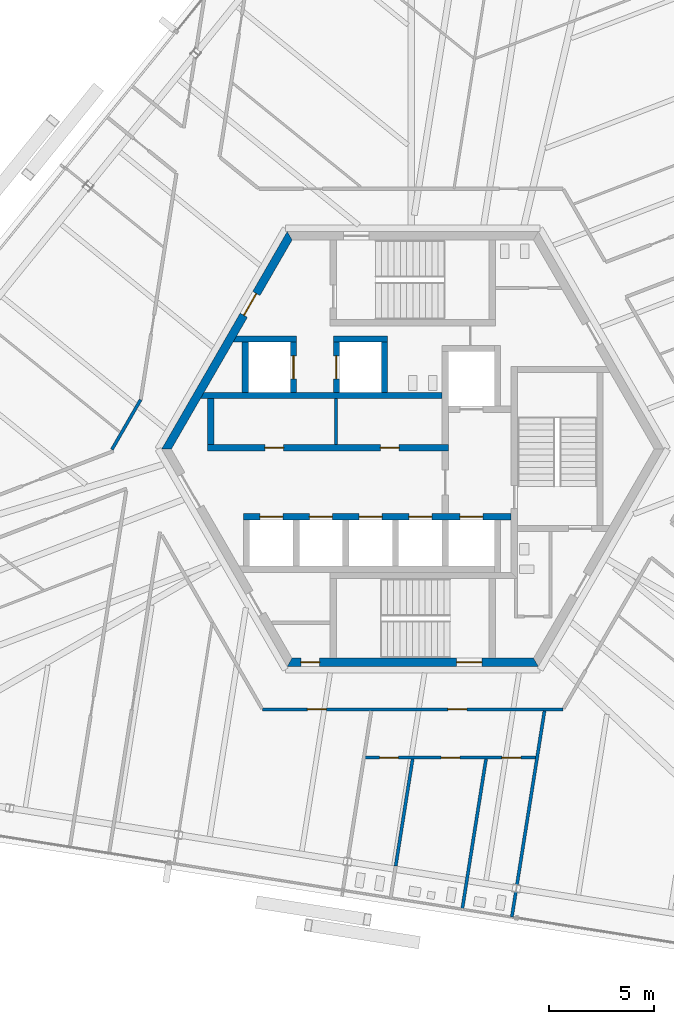
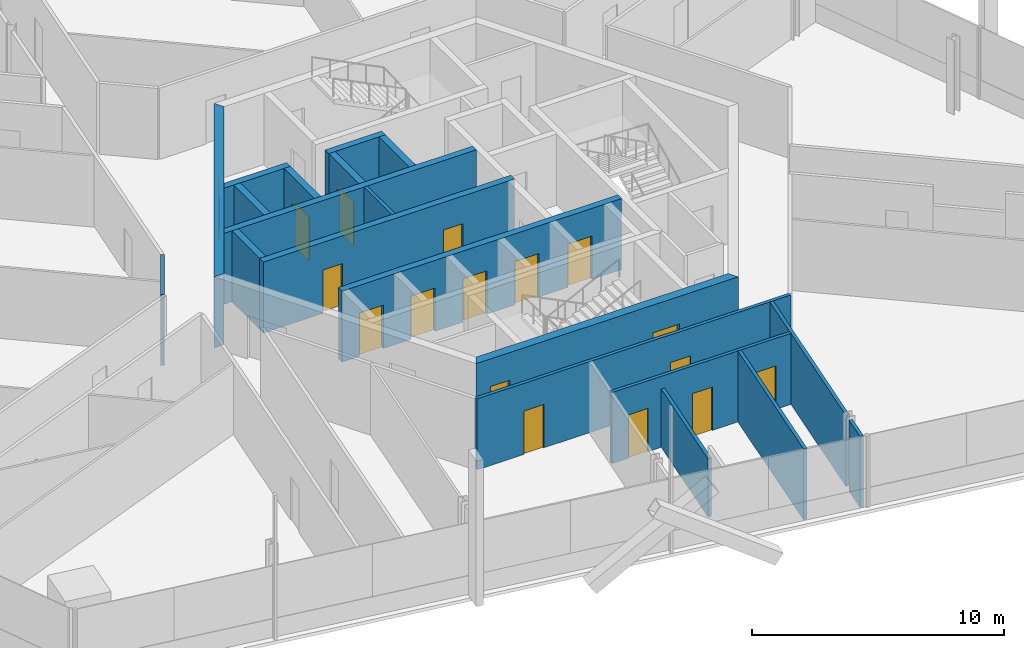
# One storey, part 12 of 22: 20 walls, 17 doors, 17 openings.
"""IFC4 building model written with IfcOpenShell, lengths in metres."""

from ifc_helpers import new_model, si_unit, direction, frame, frame_2d, origin, place, context, subcontext, project, spatial, polyline, rectangle, outline, extrude, source, transform, mapped, material, layer, layer_set, type_object, element, fill, save


model = new_model("IFC4")

# Units and contexts
model_context = context("Model", 3, precision=1e-05, world=origin(), true_north=direction((0.0, 1.0)))
body_context = subcontext(model_context, "Body", "Model", "MODEL_VIEW")
ifc_project = project(units=[si_unit("LENGTHUNIT", "METRE"), si_unit("AREAUNIT", "SQUARE_METRE"), si_unit("VOLUMEUNIT", "CUBIC_METRE"), si_unit("PLANEANGLEUNIT", "RADIAN"), si_unit("MASSUNIT", "GRAM", prefix="KILO")], contexts=[model_context])

# Site, building, storey
site_placement = place(None, origin())
site = spatial("IfcSite", under=ifc_project, at=site_placement, CompositionType="ELEMENT")
building_placement = place(site_placement, origin())
building = spatial("IfcBuilding", under=site, at=building_placement, Name="Triune Harvest Tower", CompositionType="ELEMENT")
storey_placement = place(building_placement, frame((0.0, 0.0, 153.300048828125)))
storey = spatial("IfcBuildingStorey", under=building, at=storey_placement, Name="L39", CompositionType="ELEMENT", Elevation=153.300048828125)

# Wall, openings, doors
ifc_material_1 = material(Name="Gypsum board on steel studs", Category="steel")
ifc_layer_1 = layer(ifc_material_1, 0.14990234375)
ifc_layer_set_1 = layer_set([ifc_layer_1], Name="Gypsum board on steel studs")
wall_type_1 = type_object("IfcWallType", Name="Fire Partition 150 mm", PredefinedType="PARTITIONING", material=ifc_layer_set_1)
wall_1_placement = place(storey_placement, frame((-2.3349609375, -14.7421875, 0.0), z_axis=(0.0, 0.0, 1.0), x_axis=(1.0, 0.0, 0.0)))
wall_1 = element("IfcWall", 1, at=wall_1_placement, inside=storey, type_object=wall_type_1, Name="Partition L39 023", PredefinedType="PARTITIONING", context=body_context, shape_type="SweptSolid", body=[
    extrude(rectangle(XDim=8.206787109375, YDim=0.14990234375, at=frame_2d((4.103515625, 0.0))), origin(), (0.0, 0.0, 1.0), 3.43994140625),
])
opening_1_placement = place(wall_1_placement, frame((0.75, 0.0, 0.0)))
opening_1 = element("IfcOpeningElement", 2, at=opening_1_placement, cuts=wall_1, Name="Opening L39-022", PredefinedType="OPENING", context=body_context, shape_type="SweptSolid", body=[
    extrude(rectangle(XDim=0.89990234375, YDim=2.10009765625, at=frame_2d((0.449951171875, 1.050048828125))), frame((0.0, 0.0849609375, 0.0), z_axis=(0.0, -1.0, 0.0), x_axis=(1.0, 0.0, 0.0)), (0.0, 0.0, 1.0), 0.169921875),
])
opening_2_placement = place(wall_1_placement, frame((3.688720703125, 0.0, 0.0)))
opening_2 = element("IfcOpeningElement", 3, at=opening_2_placement, cuts=wall_1, Name="Opening L39-023", PredefinedType="OPENING", context=body_context, shape_type="SweptSolid", body=[
    extrude(rectangle(XDim=0.89990234375, YDim=2.10009765625, at=frame_2d((0.449951171875, 1.050048828125))), frame((0.0, 0.0849609375, 0.0), z_axis=(0.0, -1.0, 0.0), x_axis=(1.0, 0.0, 0.0)), (0.0, 0.0, 1.0), 0.169921875),
])
opening_3_placement = place(wall_1_placement, frame((6.596923828125, 0.0, 0.0)))
opening_3 = element("IfcOpeningElement", 4, at=opening_3_placement, cuts=wall_1, Name="Opening L39-024", PredefinedType="OPENING", context=body_context, shape_type="SweptSolid", body=[
    extrude(rectangle(XDim=0.89990234375, YDim=2.10009765625, at=frame_2d((0.449951171875, 1.050048828125))), frame((0.0, 0.0849609375, 0.0), z_axis=(0.0, -1.0, 0.0), x_axis=(1.0, 0.0, 0.0)), (0.0, 0.0, 1.0), 0.169921875),
])
ifc_material_2 = material(Name="Timber and steel door set", Category="steel")
door_type_1 = type_object("IfcDoorType", Name="Single leaf door FD30 left hand 900 x 2100", OperationType="SINGLE_SWING_LEFT", PredefinedType="DOOR", material=ifc_material_2)
door_1_placement = place(opening_2_placement, origin())
door_1 = element("IfcDoor", 5, at=door_1_placement, inside=storey, type_object=door_type_1, Name="Door L39-023 Men's WC 39.23", OperationType="SINGLE_SWING_LEFT", OverallHeight=2.10009765625, OverallWidth=0.89990234375, PredefinedType="DOOR", context=body_context, shape_type="SweptSolid", body=[
    extrude(rectangle(XDim=0.89990234375, YDim=2.10009765625, at=frame_2d((0.449951171875, 1.050048828125))), frame((0.0, 0.02490234375, 0.0), z_axis=(0.0, -1.0, 0.0), x_axis=(1.0, 0.0, 0.0)), (0.0, 0.0, 1.0), 0.050048828125),
])
fill(opening_2, door_1)
door_2_placement = place(opening_3_placement, origin())
door_2 = element("IfcDoor", 6, at=door_2_placement, inside=storey, type_object=door_type_1, Name="Door L39-024 Accessible WC 39.24", OperationType="SINGLE_SWING_LEFT", OverallHeight=2.10009765625, OverallWidth=0.89990234375, PredefinedType="DOOR", context=body_context, shape_type="SweptSolid", body=[
    extrude(rectangle(XDim=0.89990234375, YDim=2.10009765625, at=frame_2d((0.449951171875, 1.050048828125))), frame((0.0, 0.02490234375, 0.0), z_axis=(0.0, -1.0, 0.0), x_axis=(1.0, 0.0, 0.0)), (0.0, 0.0, 1.0), 0.050048828125),
])
fill(opening_3, door_2)
ifc_material_3 = material(Name="Timber and steel door set", Category="steel")
door_type_2 = type_object("IfcDoorType", Name="Single leaf door FD30 right hand 900 x 2100", OperationType="SINGLE_SWING_RIGHT", PredefinedType="DOOR", material=ifc_material_3)
door_3_placement = place(opening_1_placement, origin())
door_3 = element("IfcDoor", 7, at=door_3_placement, inside=storey, type_object=door_type_2, Name="Door L39-022 Women's WC 39.22", OperationType="SINGLE_SWING_RIGHT", OverallHeight=2.10009765625, OverallWidth=0.89990234375, PredefinedType="DOOR", context=body_context, shape_type="SweptSolid", body=[
    extrude(rectangle(XDim=0.89990234375, YDim=2.10009765625, at=frame_2d((0.449951171875, 1.050048828125))), frame((0.0, 0.02490234375, 0.0), z_axis=(0.0, -1.0, 0.0), x_axis=(1.0, 0.0, 0.0)), (0.0, 0.0, 1.0), 0.050048828125),
])
fill(opening_1, door_3)

# Walls
wall_2_placement = place(storey_placement, frame((-14.380615234375, -0.023193359375, 0.0), z_axis=(0.0, 0.0, 1.0), x_axis=(0.50002270823, 0.866012292785, 0.0)))
element("IfcWall", 8, at=wall_2_placement, inside=storey, type_object=wall_type_1, Name="Partition L39 040", PredefinedType="PARTITIONING", context=body_context, shape_type="SweptSolid", body=[
    extrude(rectangle(XDim=2.744873046875, YDim=0.14990234375, at=frame_2d((1.37255859375, 0.0))), origin(), (0.0, 0.0, 1.0), 3.43994140625),
])
wall_3_placement = place(storey_placement, frame((4.9794921875, -20.820556640625, 0.0), z_axis=(0.0, 0.0, 1.0), x_axis=(0.156421554245, 0.987690385378, 0.0)))
element("IfcWall", 9, at=wall_3_placement, inside=storey, type_object=wall_type_1, Name="Partition L39 042", PredefinedType="PARTITIONING", context=body_context, shape_type="SweptSolid", body=[
    extrude(rectangle(XDim=8.41259765625, YDim=0.14990234375, at=frame_2d((4.206298828125, 0.0))), origin(), (0.0, 0.0, 1.0), 3.43994140625),
])
wall_4_placement = place(storey_placement, frame((2.364013671875, -21.9912109375, 0.0), z_axis=(0.0, 0.0, 1.0), x_axis=(0.156436823772, 0.987687967006, 0.0)))
element("IfcWall", 10, at=wall_4_placement, inside=storey, type_object=wall_type_1, Name="Partition L39 043", PredefinedType="PARTITIONING", context=body_context, shape_type="SweptSolid", body=[
    extrude(rectangle(XDim=7.26953125, YDim=0.14990234375, at=frame_2d((3.634765625, 0.0))), origin(), (0.0, 0.0, 1.0), 3.43994140625),
])
wall_5_placement = place(storey_placement, frame((-0.8173828125, -19.927001953125, 0.0), z_axis=(0.0, 0.0, 1.0), x_axis=(0.156444233428, 0.987686793385, 0.0)))
element("IfcWall", 11, at=wall_5_placement, inside=storey, type_object=wall_type_1, Name="Partition L39 044a", PredefinedType="PARTITIONING", context=body_context, shape_type="SweptSolid", body=[
    extrude(rectangle(XDim=5.179443359375, YDim=0.14990234375, at=frame_2d((2.58984375, 0.0))), origin(), (0.0, 0.0, 1.0), 2.82763671875),
])

# Wall, opening, door
ifc_material_4 = material(Name="Concrete 70 MPa", Category="concrete")
ifc_layer_2 = layer(ifc_material_4, 0.39990234375)
ifc_layer_set_2 = layer_set([ifc_layer_2], Name="Concrete 70 MPa")
wall_type_2 = type_object("IfcWallType", Name="Core wall 400", PredefinedType="SHEAR", material=ifc_layer_set_2)
shared_shape_1 = source(origin(), body_context, "Body", "SweptSolid", [
    extrude(outline(polyline([(-0.115478515625, -0.199951171875), (11.884521484375, -0.199951171875), (11.653564453125, 0.199951171875), (0.115478515625, 0.199951171875), (-0.115478515625, -0.199951171875)])), origin(), (0.0, 0.0, 1.0), 3.43994140625),
])
wall_6_placement = place(storey_placement, frame((-5.884521484375, 10.1923828125, 0.0), z_axis=(0.0, 0.0, 1.0), x_axis=(-0.499996592174, -0.866027371285, 0.0)))
wall_6 = element("IfcWall", 12, at=wall_6_placement, inside=storey, type_object=wall_type_2, Name="Hexagon 2 wall", PredefinedType="SHEAR", context=body_context, shape_type="MappedRepresentation", body=[
    mapped(shared_shape_1, transform((0.0, 0.0, 0.0), scale=1.0)),
])
opening_4_placement = place(wall_6_placement, frame((3.1845703125, 0.0, 0.0)))
opening_4 = element("IfcOpeningElement", 13, at=opening_4_placement, cuts=wall_6, Name="Opening CD-SVP", PredefinedType="OPENING", context=body_context, shape_type="SweptSolid", body=[
    extrude(rectangle(XDim=1.199951171875, YDim=2.10009765625, at=frame_2d((0.60009765625, 1.050048828125))), frame((0.0, 0.2099609375, 0.0), z_axis=(0.0, -1.0, 0.0), x_axis=(1.0, 0.0, 0.0)), (0.0, 0.0, 1.0), 0.419921875),
])
ifc_material_5 = material(Name="Steel S235", Category="steel")
door_type_3 = type_object("IfcDoorType", Name="Service door 1200 FD120", OperationType="SINGLE_SWING_LEFT", PredefinedType="DOOR", material=ifc_material_5)
door_4_placement = place(opening_4_placement, frame((1.199951171875, 0.0, 0.0), z_axis=(0.0, 0.0, 1.0), x_axis=(-1.0, 0.0, 0.0)))
door_4 = element("IfcDoor", 14, at=door_4_placement, inside=storey, type_object=door_type_3, Name="Door CD-SVP", OperationType="SINGLE_SWING_RIGHT", OverallHeight=2.10009765625, OverallWidth=1.199951171875, PredefinedType="DOOR", context=body_context, shape_type="SweptSolid", body=[
    extrude(rectangle(XDim=1.199951171875, YDim=2.10009765625, at=frame_2d((0.60009765625, 1.050048828125))), frame((0.0, 0.02490234375, 0.0), z_axis=(0.0, -1.0, 0.0), x_axis=(1.0, 0.0, 0.0)), (0.0, 0.0, 1.0), 0.050048828125),
])
fill(opening_4, door_4)

# Wall, openings, doors
wall_7_placement = place(storey_placement, frame((-5.884521484375, -10.1923828125, 0.0), z_axis=(0.0, 0.0, 1.0), x_axis=(1.0, 0.0, 0.0)))
wall_7 = element("IfcWall", 15, at=wall_7_placement, inside=storey, type_object=wall_type_2, Name="Hexagon 4 wall", PredefinedType="SHEAR", context=body_context, shape_type="MappedRepresentation", body=[
    mapped(shared_shape_1, transform((0.0, 0.0, 0.0), scale=1.0)),
])
opening_5_placement = place(wall_7_placement, frame((7.984619140625, 0.0, 0.0)))
opening_5 = element("IfcOpeningElement", 16, at=opening_5_placement, cuts=wall_7, Name="Opening CD-S2P", PredefinedType="OPENING", context=body_context, shape_type="SweptSolid", body=[
    extrude(rectangle(XDim=1.199951171875, YDim=2.10009765625, at=frame_2d((0.60009765625, 1.050048828125))), frame((0.0, 0.2099609375, 0.0), z_axis=(0.0, -1.0, 0.0), x_axis=(1.0, 0.0, 0.0)), (0.0, 0.0, 1.0), 0.419921875),
])
opening_6_placement = place(wall_7_placement, frame((0.534423828125, 0.0, 0.0)))
opening_6 = element("IfcOpeningElement", 17, at=opening_6_placement, cuts=wall_7, Name="Opening CD-SWS", PredefinedType="OPENING", context=body_context, shape_type="SweptSolid", body=[
    extrude(rectangle(XDim=0.89990234375, YDim=2.10009765625, at=frame_2d((0.449951171875, 1.050048828125))), frame((0.0, 0.2099609375, 0.0), z_axis=(0.0, -1.0, 0.0), x_axis=(1.0, 0.0, 0.0)), (0.0, 0.0, 1.0), 0.419921875),
])
ifc_material_6 = material(Name="Steel S235", Category="steel")
door_type_4 = type_object("IfcDoorType", Name="Riser door 900 FD120", OperationType="SINGLE_SWING_LEFT", PredefinedType="DOOR", material=ifc_material_6)
door_5_placement = place(opening_6_placement, frame((0.89990234375, 0.0, 0.0), z_axis=(0.0, 0.0, 1.0), x_axis=(-1.0, 0.0, 0.0)))
door_5 = element("IfcDoor", 18, at=door_5_placement, inside=storey, type_object=door_type_4, Name="Door CD-SWS", OperationType="SINGLE_SWING_RIGHT", OverallHeight=2.10009765625, OverallWidth=0.89990234375, PredefinedType="DOOR", context=body_context, shape_type="SweptSolid", body=[
    extrude(rectangle(XDim=0.89990234375, YDim=2.10009765625, at=frame_2d((0.449951171875, 1.050048828125))), frame((0.0, 0.02490234375, 0.0), z_axis=(0.0, -1.0, 0.0), x_axis=(1.0, 0.0, 0.0)), (0.0, 0.0, 1.0), 0.050048828125),
])
fill(opening_6, door_5)
ifc_material_7 = material(Name="Steel S235", Category="steel")
door_type_5 = type_object("IfcDoorType", Name="Stair door 1200 FD120", OperationType="SINGLE_SWING_LEFT", PredefinedType="DOOR", material=ifc_material_7)
door_6_placement = place(opening_5_placement, frame((1.199951171875, 0.0, 0.0), z_axis=(0.0, 0.0, 1.0), x_axis=(-1.0, 0.0, 0.0)))
door_6 = element("IfcDoor", 19, at=door_6_placement, inside=storey, type_object=door_type_5, Name="Door CD-S2P", OperationType="SINGLE_SWING_RIGHT", OverallHeight=2.10009765625, OverallWidth=1.199951171875, PredefinedType="DOOR", context=body_context, shape_type="SweptSolid", body=[
    extrude(rectangle(XDim=1.199951171875, YDim=2.10009765625, at=frame_2d((0.60009765625, 1.050048828125))), frame((0.0, 0.02490234375, 0.0), z_axis=(0.0, -1.0, 0.0), x_axis=(1.0, 0.0, 0.0)), (0.0, 0.0, 1.0), 0.050048828125),
])
fill(opening_5, door_6)

ifc_material_8 = material(Name="Concrete 70 MPa", Category="concrete")
ifc_layer_3 = layer(ifc_material_8, 0.300048828125)
ifc_layer_set_3 = layer_set([ifc_layer_3], Name="Concrete 70 MPa")
wall_type_3 = type_object("IfcWallType", Name="Core wall 300", PredefinedType="SHEAR", material=ifc_layer_set_3)
shared_shape_2 = source(origin(), body_context, "Body", "SweptSolid", [
    extrude(rectangle(XDim=11.5, YDim=0.300048828125, at=frame_2d((5.75, 0.0))), origin(), (0.0, 0.0, 1.0), 3.43994140625),
])
wall_8_placement = place(storey_placement, frame((-9.800048828125, 0.06005859375, 0.0), z_axis=(0.0, 0.0, 1.0), x_axis=(1.0, 0.0, 0.0)))
wall_8 = element("IfcWall", 20, at=wall_8_placement, inside=storey, type_object=wall_type_3, Name="North front wall", PredefinedType="SHEAR", context=body_context, shape_type="MappedRepresentation", body=[
    mapped(shared_shape_2, transform((0.0, 0.0, 0.0), scale=1.0)),
])
opening_7_placement = place(wall_8_placement, frame((2.7275390625, 0.0, 0.0)))
opening_7 = element("IfcOpeningElement", 21, at=opening_7_placement, cuts=wall_8, Name="Opening CD-RN1", PredefinedType="OPENING", context=body_context, shape_type="SweptSolid", body=[
    extrude(rectangle(XDim=0.89990234375, YDim=2.10009765625, at=frame_2d((0.449951171875, 1.050048828125))), frame((0.0, 0.16015625, 0.0), z_axis=(0.0, -1.0, 0.0), x_axis=(1.0, 0.0, 0.0)), (0.0, 0.0, 1.0), 0.320068359375),
])
opening_8_placement = place(wall_8_placement, frame((8.25244140625, 0.0, 0.0)))
opening_8 = element("IfcOpeningElement", 22, at=opening_8_placement, cuts=wall_8, Name="Opening CD-RN2", PredefinedType="OPENING", context=body_context, shape_type="SweptSolid", body=[
    extrude(rectangle(XDim=0.89990234375, YDim=2.10009765625, at=frame_2d((0.449951171875, 1.050048828125))), frame((0.0, 0.16015625, 0.0), z_axis=(0.0, -1.0, 0.0), x_axis=(1.0, 0.0, 0.0)), (0.0, 0.0, 1.0), 0.320068359375),
])
door_7_placement = place(opening_7_placement, frame((0.89990234375, 0.0, 0.0), z_axis=(0.0, 0.0, 1.0), x_axis=(-1.0, 0.0, 0.0)))
door_7 = element("IfcDoor", 23, at=door_7_placement, inside=storey, type_object=door_type_4, Name="Door CD-RN1", OperationType="SINGLE_SWING_RIGHT", OverallHeight=2.10009765625, OverallWidth=0.89990234375, PredefinedType="DOOR", context=body_context, shape_type="SweptSolid", body=[
    extrude(rectangle(XDim=0.89990234375, YDim=2.10009765625, at=frame_2d((0.449951171875, 1.050048828125))), frame((0.0, 0.02490234375, 0.0), z_axis=(0.0, -1.0, 0.0), x_axis=(1.0, 0.0, 0.0)), (0.0, 0.0, 1.0), 0.050048828125),
])
fill(opening_7, door_7)
door_8_placement = place(opening_8_placement, frame((0.89990234375, 0.0, 0.0), z_axis=(0.0, 0.0, 1.0), x_axis=(-1.0, 0.0, 0.0)))
door_8 = element("IfcDoor", 24, at=door_8_placement, inside=storey, type_object=door_type_4, Name="Door CD-RN2", OperationType="SINGLE_SWING_RIGHT", OverallHeight=2.10009765625, OverallWidth=0.89990234375, PredefinedType="DOOR", context=body_context, shape_type="SweptSolid", body=[
    extrude(rectangle(XDim=0.89990234375, YDim=2.10009765625, at=frame_2d((0.449951171875, 1.050048828125))), frame((0.0, 0.02490234375, 0.0), z_axis=(0.0, -1.0, 0.0), x_axis=(1.0, 0.0, 0.0)), (0.0, 0.0, 1.0), 0.050048828125),
])
fill(opening_8, door_8)

# Wall
shared_shape_3 = source(origin(), body_context, "Body", "SweptSolid", [
    extrude(outline(polyline([(11.199951171875, -0.14990234375), (-0.34912109375, -0.14990234375), (-0.17578125, 0.14990234375), (11.199951171875, 0.14990234375), (11.199951171875, -0.14990234375)])), origin(), (0.0, 0.0, 1.0), 3.43994140625),
])
wall_9_placement = place(storey_placement, frame((-9.800048828125, 2.56005859375, 0.0), z_axis=(0.0, 0.0, 1.0), x_axis=(1.0, 0.0, 0.0)))
element("IfcWall", 25, at=wall_9_placement, inside=storey, type_object=wall_type_3, Name="North back wall", PredefinedType="SHEAR", context=body_context, shape_type="MappedRepresentation", body=[
    mapped(shared_shape_3, transform((0.0, 0.0, 0.0), scale=1.0)),
])

# Wall, openings, doors
shared_shape_4 = source(origin(), body_context, "Body", "SweptSolid", [
    extrude(rectangle(XDim=12.800048828125, YDim=0.300048828125, at=frame_2d((6.39990234375, 0.0))), origin(), (0.0, 0.0, 1.0), 3.43994140625),
])
wall_10_placement = place(storey_placement, frame((-8.10009765625, -3.239990234375, 0.0), z_axis=(0.0, 0.0, 1.0), x_axis=(1.0, 0.0, 0.0)))
wall_10 = element("IfcWall", 26, at=wall_10_placement, inside=storey, type_object=wall_type_3, Name="South front wall", PredefinedType="SHEAR", context=body_context, shape_type="MappedRepresentation", body=[
    mapped(shared_shape_4, transform((0.0, 0.0, 0.0), scale=1.0)),
])
opening_9_placement = place(wall_10_placement, frame((0.78759765625, 0.0, 0.0)))
opening_9 = element("IfcOpeningElement", 27, at=opening_9_placement, cuts=wall_10, Name="Opening LD-HR1-39", PredefinedType="OPENING", context=body_context, shape_type="SweptSolid", body=[
    extrude(rectangle(XDim=1.10009765625, YDim=2.10009765625, at=frame_2d((0.550048828125, 1.050048828125))), frame((0.0, 0.16015625, 0.0), z_axis=(0.0, -1.0, 0.0), x_axis=(1.0, 0.0, 0.0)), (0.0, 0.0, 1.0), 0.320068359375),
])
opening_10_placement = place(wall_10_placement, frame((3.16259765625, 0.0, 0.0)))
opening_10 = element("IfcOpeningElement", 28, at=opening_10_placement, cuts=wall_10, Name="Opening LD-HR2-39", PredefinedType="OPENING", context=body_context, shape_type="SweptSolid", body=[
    extrude(rectangle(XDim=1.10009765625, YDim=2.10009765625, at=frame_2d((0.550048828125, 1.050048828125))), frame((0.0, 0.16015625, 0.0), z_axis=(0.0, -1.0, 0.0), x_axis=(1.0, 0.0, 0.0)), (0.0, 0.0, 1.0), 0.320068359375),
])
opening_11_placement = place(wall_10_placement, frame((5.53759765625, 0.0, 0.0)))
opening_11 = element("IfcOpeningElement", 29, at=opening_11_placement, cuts=wall_10, Name="Opening LD-HR3-39", PredefinedType="OPENING", context=body_context, shape_type="SweptSolid", body=[
    extrude(rectangle(XDim=1.10009765625, YDim=2.10009765625, at=frame_2d((0.550048828125, 1.050048828125))), frame((0.0, 0.16015625, 0.0), z_axis=(0.0, -1.0, 0.0), x_axis=(1.0, 0.0, 0.0)), (0.0, 0.0, 1.0), 0.320068359375),
])
opening_12_placement = place(wall_10_placement, frame((7.91259765625, 0.0, 0.0)))
opening_12 = element("IfcOpeningElement", 30, at=opening_12_placement, cuts=wall_10, Name="Opening LD-HR4-39", PredefinedType="OPENING", context=body_context, shape_type="SweptSolid", body=[
    extrude(rectangle(XDim=1.10009765625, YDim=2.10009765625, at=frame_2d((0.550048828125, 1.050048828125))), frame((0.0, 0.16015625, 0.0), z_axis=(0.0, -1.0, 0.0), x_axis=(1.0, 0.0, 0.0)), (0.0, 0.0, 1.0), 0.320068359375),
])
opening_13_placement = place(wall_10_placement, frame((10.35009765625, 0.0, 0.0)))
opening_13 = element("IfcOpeningElement", 31, at=opening_13_placement, cuts=wall_10, Name="Opening LD-FF2-39", PredefinedType="OPENING", context=body_context, shape_type="SweptSolid", body=[
    extrude(rectangle(XDim=1.10009765625, YDim=2.10009765625, at=frame_2d((0.550048828125, 1.050048828125))), frame((0.0, 0.16015625, 0.0), z_axis=(0.0, -1.0, 0.0), x_axis=(1.0, 0.0, 0.0)), (0.0, 0.0, 1.0), 0.320068359375),
])
ifc_material_9 = material(Name="Stainless steel AISI 304", Category="steel")
door_type_6 = type_object("IfcDoorType", Name="Landing door 1100 x 2100", OperationType="DOUBLE_DOOR_SLIDING", PredefinedType="DOOR", material=ifc_material_9)
door_9_placement = place(opening_9_placement, origin())
door_9 = element("IfcDoor", 32, at=door_9_placement, inside=storey, type_object=door_type_6, Name="Door LD-HR1-39", OperationType="DOUBLE_DOOR_SLIDING", OverallHeight=2.10009765625, OverallWidth=1.10009765625, PredefinedType="DOOR", context=body_context, shape_type="SweptSolid", body=[
    extrude(rectangle(XDim=1.10009765625, YDim=2.10009765625, at=frame_2d((0.550048828125, 1.050048828125))), frame((0.0, 0.02490234375, 0.0), z_axis=(0.0, -1.0, 0.0), x_axis=(1.0, 0.0, 0.0)), (0.0, 0.0, 1.0), 0.050048828125),
])
fill(opening_9, door_9)
door_10_placement = place(opening_10_placement, origin())
door_10 = element("IfcDoor", 33, at=door_10_placement, inside=storey, type_object=door_type_6, Name="Door LD-HR2-39", OperationType="DOUBLE_DOOR_SLIDING", OverallHeight=2.10009765625, OverallWidth=1.10009765625, PredefinedType="DOOR", context=body_context, shape_type="SweptSolid", body=[
    extrude(rectangle(XDim=1.10009765625, YDim=2.10009765625, at=frame_2d((0.550048828125, 1.050048828125))), frame((0.0, 0.02490234375, 0.0), z_axis=(0.0, -1.0, 0.0), x_axis=(1.0, 0.0, 0.0)), (0.0, 0.0, 1.0), 0.050048828125),
])
fill(opening_10, door_10)
door_11_placement = place(opening_11_placement, origin())
door_11 = element("IfcDoor", 34, at=door_11_placement, inside=storey, type_object=door_type_6, Name="Door LD-HR3-39", OperationType="DOUBLE_DOOR_SLIDING", OverallHeight=2.10009765625, OverallWidth=1.10009765625, PredefinedType="DOOR", context=body_context, shape_type="SweptSolid", body=[
    extrude(rectangle(XDim=1.10009765625, YDim=2.10009765625, at=frame_2d((0.550048828125, 1.050048828125))), frame((0.0, 0.02490234375, 0.0), z_axis=(0.0, -1.0, 0.0), x_axis=(1.0, 0.0, 0.0)), (0.0, 0.0, 1.0), 0.050048828125),
])
fill(opening_11, door_11)
door_12_placement = place(opening_12_placement, origin())
door_12 = element("IfcDoor", 35, at=door_12_placement, inside=storey, type_object=door_type_6, Name="Door LD-HR4-39", OperationType="DOUBLE_DOOR_SLIDING", OverallHeight=2.10009765625, OverallWidth=1.10009765625, PredefinedType="DOOR", context=body_context, shape_type="SweptSolid", body=[
    extrude(rectangle(XDim=1.10009765625, YDim=2.10009765625, at=frame_2d((0.550048828125, 1.050048828125))), frame((0.0, 0.02490234375, 0.0), z_axis=(0.0, -1.0, 0.0), x_axis=(1.0, 0.0, 0.0)), (0.0, 0.0, 1.0), 0.050048828125),
])
fill(opening_12, door_12)
door_13_placement = place(opening_13_placement, origin())
door_13 = element("IfcDoor", 36, at=door_13_placement, inside=storey, type_object=door_type_6, Name="Door LD-FF2-39", OperationType="DOUBLE_DOOR_SLIDING", OverallHeight=2.10009765625, OverallWidth=1.10009765625, PredefinedType="DOOR", context=body_context, shape_type="SweptSolid", body=[
    extrude(rectangle(XDim=1.10009765625, YDim=2.10009765625, at=frame_2d((0.550048828125, 1.050048828125))), frame((0.0, 0.02490234375, 0.0), z_axis=(0.0, -1.0, 0.0), x_axis=(1.0, 0.0, 0.0)), (0.0, 0.0, 1.0), 0.050048828125),
])
fill(opening_13, door_13)

# Walls
shared_shape_5 = source(origin(), body_context, "Body", "SweptSolid", [
    extrude(rectangle(XDim=2.199951171875, YDim=0.300048828125, at=frame_2d((1.10009765625, 0.0))), origin(), (0.0, 0.0, 1.0), 3.43994140625),
])
wall_11_placement = place(storey_placement, frame((-9.64990234375, 0.2099609375, 0.0), z_axis=(0.0, 0.0, 1.0), x_axis=(0.0, 1.0, 0.0)))
element("IfcWall", 37, at=wall_11_placement, inside=storey, type_object=wall_type_3, Name="North end west wall", PredefinedType="SHEAR", context=body_context, shape_type="MappedRepresentation", body=[
    mapped(shared_shape_5, transform((0.0, 0.0, 0.0), scale=1.0)),
])
shared_shape_6 = source(origin(), body_context, "Body", "SweptSolid", [
    extrude(outline(polyline([(2.60009765625, -0.14990234375), (-0.440185546875, -0.14990234375), (-0.26708984375, 0.14990234375), (2.60009765625, 0.14990234375), (2.60009765625, -0.14990234375)])), origin(), (0.0, 0.0, 1.0), 3.43994140625),
])
wall_12_placement = place(storey_placement, frame((-8.14990234375, 5.260009765625, 0.0), z_axis=(0.0, 0.0, 1.0), x_axis=(1.0, 0.0, 0.0)))
element("IfcWall", 38, at=wall_12_placement, inside=storey, type_object=wall_type_3, Name="Sv1 north wall", PredefinedType="SHEAR", context=body_context, shape_type="MappedRepresentation", body=[
    mapped(shared_shape_6, transform((0.0, 0.0, 0.0), scale=1.0)),
])
shared_shape_7 = source(origin(), body_context, "Body", "SweptSolid", [
    extrude(rectangle(XDim=2.400146484375, YDim=0.300048828125, at=frame_2d((1.2001953125, 0.0))), origin(), (0.0, 0.0, 1.0), 3.43994140625),
])
wall_13_placement = place(storey_placement, frame((-8.0, 2.7099609375, 0.0), z_axis=(0.0, 0.0, 1.0), x_axis=(0.0, 1.0, 0.0)))
element("IfcWall", 39, at=wall_13_placement, inside=storey, type_object=wall_type_3, Name="Sv1 west wall", PredefinedType="SHEAR", context=body_context, shape_type="MappedRepresentation", body=[
    mapped(shared_shape_7, transform((0.0, 0.0, 0.0), scale=1.0)),
])

# Wall, opening, door
wall_14_placement = place(storey_placement, frame((-5.699951171875, 2.7099609375, 0.0), z_axis=(0.0, 0.0, 1.0), x_axis=(0.0, 1.0, 0.0)))
wall_14 = element("IfcWall", 40, at=wall_14_placement, inside=storey, type_object=wall_type_3, Name="Sv1 east wall", PredefinedType="SHEAR", context=body_context, shape_type="MappedRepresentation", body=[
    mapped(shared_shape_7, transform((0.0, 0.0, 0.0), scale=1.0)),
])
opening_14_placement = place(wall_14_placement, frame((0.64990234375, 0.0, 0.0)))
opening_14 = element("IfcOpeningElement", 41, at=opening_14_placement, cuts=wall_14, Name="Opening LD-SV1-39", PredefinedType="OPENING", context=body_context, shape_type="SweptSolid", body=[
    extrude(rectangle(XDim=1.10009765625, YDim=2.10009765625, at=frame_2d((0.550048828125, 1.050048828125))), frame((0.0, 0.16015625, 0.0), z_axis=(0.0, -1.0, 0.0), x_axis=(1.0, 0.0, 0.0)), (0.0, 0.0, 1.0), 0.320068359375),
])
door_14_placement = place(opening_14_placement, origin())
door_14 = element("IfcDoor", 42, at=door_14_placement, inside=storey, type_object=door_type_6, Name="Door LD-SV1-39", OperationType="DOUBLE_DOOR_SLIDING", OverallHeight=2.10009765625, OverallWidth=1.10009765625, PredefinedType="DOOR", context=body_context, shape_type="SweptSolid", body=[
    extrude(rectangle(XDim=1.10009765625, YDim=2.10009765625, at=frame_2d((0.550048828125, 1.050048828125))), frame((0.0, 0.02490234375, 0.0), z_axis=(0.0, -1.0, 0.0), x_axis=(1.0, 0.0, 0.0)), (0.0, 0.0, 1.0), 0.050048828125),
])
fill(opening_14, door_14)

wall_15_placement = place(storey_placement, frame((-3.64990234375, 2.7099609375, 0.0), z_axis=(0.0, 0.0, 1.0), x_axis=(0.0, 1.0, 0.0)))
wall_15 = element("IfcWall", 43, at=wall_15_placement, inside=storey, type_object=wall_type_3, Name="Sv2 west wall", PredefinedType="SHEAR", context=body_context, shape_type="MappedRepresentation", body=[
    mapped(shared_shape_7, transform((0.0, 0.0, 0.0), scale=1.0)),
])
opening_15_placement = place(wall_15_placement, frame((0.64990234375, 0.0, 0.0)))
opening_15 = element("IfcOpeningElement", 44, at=opening_15_placement, cuts=wall_15, Name="Opening LD-SV2-39", PredefinedType="OPENING", context=body_context, shape_type="SweptSolid", body=[
    extrude(rectangle(XDim=1.10009765625, YDim=2.10009765625, at=frame_2d((0.550048828125, 1.050048828125))), frame((0.0, 0.16015625, 0.0), z_axis=(0.0, -1.0, 0.0), x_axis=(1.0, 0.0, 0.0)), (0.0, 0.0, 1.0), 0.320068359375),
])
door_15_placement = place(opening_15_placement, origin())
door_15 = element("IfcDoor", 45, at=door_15_placement, inside=storey, type_object=door_type_6, Name="Door LD-SV2-39", OperationType="DOUBLE_DOOR_SLIDING", OverallHeight=2.10009765625, OverallWidth=1.10009765625, PredefinedType="DOOR", context=body_context, shape_type="SweptSolid", body=[
    extrude(rectangle(XDim=1.10009765625, YDim=2.10009765625, at=frame_2d((0.550048828125, 1.050048828125))), frame((0.0, 0.02490234375, 0.0), z_axis=(0.0, -1.0, 0.0), x_axis=(1.0, 0.0, 0.0)), (0.0, 0.0, 1.0), 0.050048828125),
])
fill(opening_15, door_15)

# Walls
wall_16_placement = place(storey_placement, frame((-1.35009765625, 2.7099609375, 0.0), z_axis=(0.0, 0.0, 1.0), x_axis=(0.0, 1.0, 0.0)))
element("IfcWall", 46, at=wall_16_placement, inside=storey, type_object=wall_type_3, Name="Sv2 east wall", PredefinedType="SHEAR", context=body_context, shape_type="MappedRepresentation", body=[
    mapped(shared_shape_7, transform((0.0, 0.0, 0.0), scale=1.0)),
])
shared_shape_8 = source(origin(), body_context, "Body", "SweptSolid", [
    extrude(rectangle(XDim=2.60009765625, YDim=0.300048828125, at=frame_2d((1.300048828125, 0.0))), origin(), (0.0, 0.0, 1.0), 3.43994140625),
])
wall_17_placement = place(storey_placement, frame((-3.800048828125, 5.260009765625, 0.0), z_axis=(0.0, 0.0, 1.0), x_axis=(1.0, 0.0, 0.0)))
element("IfcWall", 47, at=wall_17_placement, inside=storey, type_object=wall_type_3, Name="Sv2 north wall", PredefinedType="SHEAR", context=body_context, shape_type="MappedRepresentation", body=[
    mapped(shared_shape_8, transform((0.0, 0.0, 0.0), scale=1.0)),
])
ifc_material_10 = material(Name="Concrete masonry unit", Category="masonry")
ifc_layer_4 = layer(ifc_material_10, 0.14990234375)
ifc_layer_set_4 = layer_set([ifc_layer_4], Name="Concrete masonry unit")
wall_type_4 = type_object("IfcWallType", Name="Block partition 150", PredefinedType="PARTITIONING", material=ifc_layer_set_4)
shared_shape_9 = source(origin(), body_context, "Body", "SweptSolid", [
    extrude(rectangle(XDim=2.199951171875, YDim=0.14990234375, at=frame_2d((1.10009765625, 0.0))), origin(), (0.0, 0.0, 1.0), 3.43994140625),
])
wall_18_placement = place(storey_placement, frame((-3.669921875, 0.2099609375, 0.0), z_axis=(0.0, 0.0, 1.0), x_axis=(0.0, 1.0, 0.0)))
element("IfcWall", 48, at=wall_18_placement, inside=storey, type_object=wall_type_4, Name="Row n part 1 wall", PredefinedType="PARTITIONING", context=body_context, shape_type="MappedRepresentation", body=[
    mapped(shared_shape_9, transform((0.0, 0.0, 0.0), scale=1.0)),
])

# Wall, openings, doors
shared_shape_10 = source(origin(), body_context, "Body", "SweptSolid", [
    extrude(rectangle(XDim=14.3671875, YDim=0.14990234375, at=frame_2d((7.18359375, 0.0))), origin(), (0.0, 0.0, 1.0), 3.43994140625),
])
wall_19_placement = place(storey_placement, frame((-7.18359375, -12.4423828125, 0.0), z_axis=(0.0, 0.0, 1.0), x_axis=(1.0, 0.0, 0.0)))
wall_19 = element("IfcWall", 49, at=wall_19_placement, inside=storey, type_object=wall_type_1, Name="Partition L39 024", PredefinedType="PARTITIONING", context=body_context, shape_type="MappedRepresentation", body=[
    mapped(shared_shape_10, transform((0.0, 0.0, 0.0), scale=1.0)),
])
opening_16_placement = place(wall_19_placement, frame((2.14990234375, 0.0, 0.0)))
opening_16 = element("IfcOpeningElement", 50, at=opening_16_placement, cuts=wall_19, Name="Opening L39-020", PredefinedType="OPENING", context=body_context, shape_type="SweptSolid", body=[
    extrude(rectangle(XDim=0.89990234375, YDim=2.10009765625, at=frame_2d((0.449951171875, 1.050048828125))), frame((0.0, 0.0849609375, 0.0), z_axis=(0.0, -1.0, 0.0), x_axis=(1.0, 0.0, 0.0)), (0.0, 0.0, 1.0), 0.169921875),
])
opening_17_placement = place(wall_19_placement, frame((8.863037109375, 0.0, 0.0)))
opening_17 = element("IfcOpeningElement", 51, at=opening_17_placement, cuts=wall_19, Name="Opening L39-021", PredefinedType="OPENING", context=body_context, shape_type="SweptSolid", body=[
    extrude(rectangle(XDim=0.89990234375, YDim=2.10009765625, at=frame_2d((0.449951171875, 1.050048828125))), frame((0.0, 0.0849609375, 0.0), z_axis=(0.0, -1.0, 0.0), x_axis=(1.0, 0.0, 0.0)), (0.0, 0.0, 1.0), 0.169921875),
])
door_16_placement = place(opening_17_placement, origin())
door_16 = element("IfcDoor", 52, at=door_16_placement, inside=storey, type_object=door_type_1, Name="Door L39-021 WC lobby 39.21", OperationType="SINGLE_SWING_LEFT", OverallHeight=2.10009765625, OverallWidth=0.89990234375, PredefinedType="DOOR", context=body_context, shape_type="SweptSolid", body=[
    extrude(rectangle(XDim=0.89990234375, YDim=2.10009765625, at=frame_2d((0.449951171875, 1.050048828125))), frame((0.0, 0.02490234375, 0.0), z_axis=(0.0, -1.0, 0.0), x_axis=(1.0, 0.0, 0.0)), (0.0, 0.0, 1.0), 0.050048828125),
])
fill(opening_17, door_16)
door_17_placement = place(opening_16_placement, origin())
door_17 = element("IfcDoor", 53, at=door_17_placement, inside=storey, type_object=door_type_2, Name="Door L39-020 Open Office 39.20", OperationType="SINGLE_SWING_RIGHT", OverallHeight=2.10009765625, OverallWidth=0.89990234375, PredefinedType="DOOR", context=body_context, shape_type="SweptSolid", body=[
    extrude(rectangle(XDim=0.89990234375, YDim=2.10009765625, at=frame_2d((0.449951171875, 1.050048828125))), frame((0.0, 0.02490234375, 0.0), z_axis=(0.0, -1.0, 0.0), x_axis=(1.0, 0.0, 0.0)), (0.0, 0.0, 1.0), 0.050048828125),
])
fill(opening_16, door_17)

# Wall
shared_shape_11 = source(origin(), body_context, "Body", "SweptSolid", [
    extrude(rectangle(XDim=1.212158203125, YDim=0.14990234375, at=frame_2d((0.60595703125, 0.0))), origin(), (0.0, 0.0, 1.0), 3.43994140625),
])
wall_20_placement = place(storey_placement, frame((4.734619140625, -22.36669921875, 0.0), z_axis=(0.0, 0.0, 1.0), x_axis=(0.156293529004, 0.987710652363, 0.0)))
element("IfcWall", 54, at=wall_20_placement, inside=storey, type_object=wall_type_1, Name="Partition L39 041", PredefinedType="PARTITIONING", context=body_context, shape_type="MappedRepresentation", body=[
    mapped(shared_shape_11, transform((0.0, 0.0, 0.0), scale=1.0)),
])

save(model, "model.ifc")
